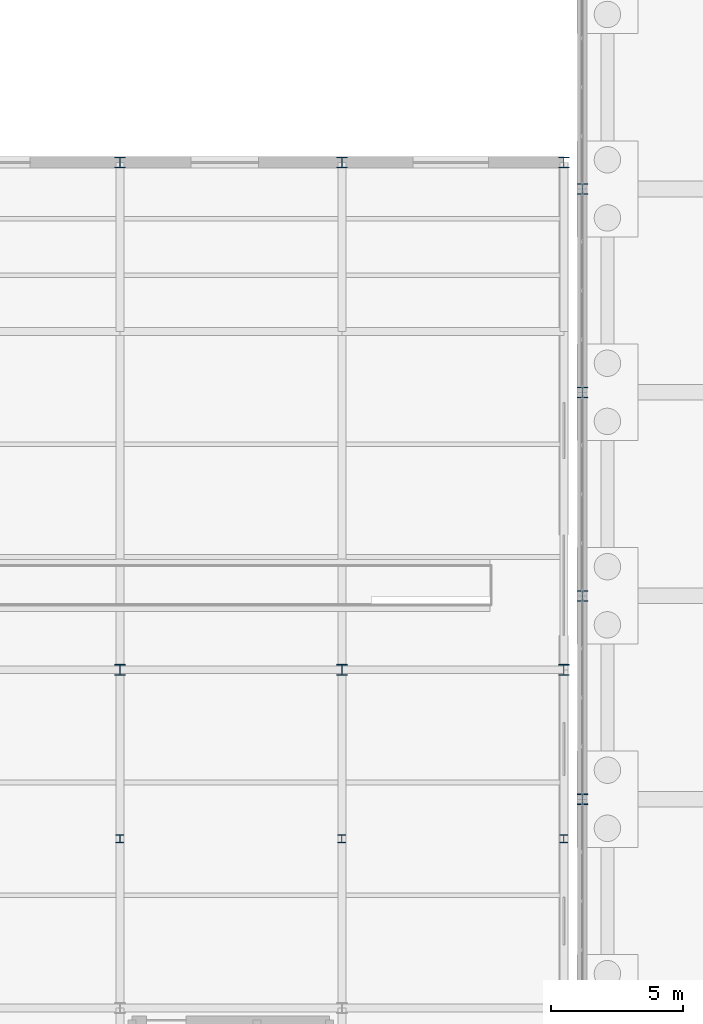
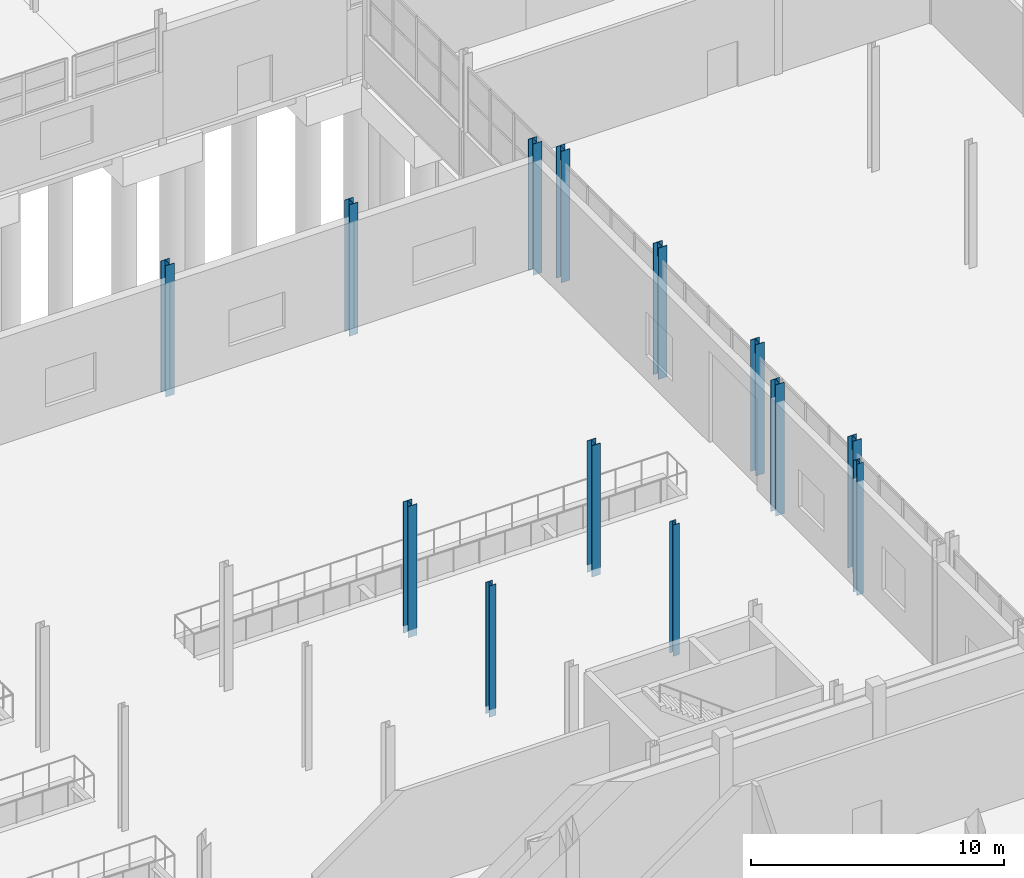
# One storey, part 34 of 139: 13 columns.
"""IFC4 building model written with IfcOpenShell, lengths in metres."""

from ifc_helpers import new_model, si_unit, direction, frame, origin, origin_2d, place, context, subcontext, project, spatial, i_section, extrude, material, material_profile, profile_set, type_object, element, save


model = new_model("IFC4")

# Units and contexts
model_context = context("Model", 3, precision=1e-05, world=origin(), true_north=direction((0.0, 1.0)))
body_context = subcontext(model_context, "Body", "Model", "MODEL_VIEW")
ifc_project = project(units=[si_unit("LENGTHUNIT", "METRE"), si_unit("AREAUNIT", "SQUARE_METRE"), si_unit("VOLUMEUNIT", "CUBIC_METRE"), si_unit("PLANEANGLEUNIT", "RADIAN"), si_unit("MASSUNIT", "GRAM", prefix="KILO")], contexts=[model_context])

# Site, building, storey
site_placement = place(None, origin())
site = spatial("IfcSite", under=ifc_project, at=site_placement, CompositionType="ELEMENT")
building_placement = place(site_placement, origin())
building = spatial("IfcBuilding", under=site, at=building_placement, Name="Kazenagashi Tramway Depot", CompositionType="ELEMENT")
storey_placement = place(building_placement, origin())
storey = spatial("IfcBuildingStorey", under=building, at=storey_placement, Name="L01", CompositionType="ELEMENT", Elevation=0.0)

# Columns
ifc_material = material(Name="Steel SN490B", Category="steel")
ifc_material_profile_1 = material_profile(ifc_material, i_section(OverallWidth=0.4, OverallDepth=0.4, WebThickness=0.013, FlangeThickness=0.021, at=origin_2d()), Name="H-400x400x13x21")
ifc_profile_set_1 = profile_set([ifc_material_profile_1], Name="Steel SN490B")
column_type_1 = type_object("IfcColumnType", Name="C-03", PredefinedType="COLUMN", material=ifc_profile_set_1)
for number, where, z_axis, x_axis, name in (
    (1, (128.8, 35.7, -0.35), (0.0, 0.0, 1.0), (1.0, 0.0, 0.0), "Column C-03 COL-0324"),
    (2, (128.8, 54.9, -0.35), (0.0, 0.0, 1.0), (1.0, 0.0, 0.0), "Column C-03 COL-0327"),
    (3, (137.2, 35.7, -0.35), (0.0, 0.0, 1.0), (1.0, 0.0, 0.0), "Column C-03 COL-0341"),
    (4, (137.2, 54.9, -0.35), (0.0, 0.0, 1.0), (1.0, 0.0, 0.0), "Column C-03 COL-0344"),
    (5, (145.6, 35.7, -0.35), (0.0, 0.0, 1.0), (1.0, 0.0, 0.0), "Column C-03 COL-0358"),
    (6, (145.6, 54.9, -0.35), (0.0, 0.0, 1.0), (1.0, 0.0, 0.0), "Column C-03 COL-0361"),
    (7, (146.3, 30.8, -0.35), (0.0, 0.0, 1.0), (1.0, 0.0, 0.0), "Column C-03 COL-0372"),
    (8, (146.3, 38.5, -0.35), (0.0, 0.0, 1.0), (1.0, 0.0, 0.0), "Column C-03 COL-0374"),
    (9, (146.3, 46.2, -0.35), (0.0, 0.0, 1.0), (1.0, 0.0, 0.0), "Column C-03 COL-0377"),
    (10, (146.3, 53.9, -0.35), (0.0, 0.0, 1.0), (1.0, 0.0, 0.0), "Column C-03 COL-0380"),
):
    element("IfcColumn", number, at=place(storey_placement, frame(where, z_axis=z_axis, x_axis=x_axis)), inside=storey, type_object=column_type_1, Name=name, PredefinedType="COLUMN", context=body_context, shape_type="SweptSolid", body=[
        extrude(i_section(OverallWidth=0.4, OverallDepth=0.4, WebThickness=0.013, FlangeThickness=0.021, at=origin_2d()), origin(), (0.0, 0.0, 1.0), 6.35),
    ])
ifc_material_profile_2 = material_profile(ifc_material, i_section(OverallWidth=0.3, OverallDepth=0.3, WebThickness=0.01, FlangeThickness=0.015, at=origin_2d()), Name="H-300x300x10x15")
ifc_profile_set_2 = profile_set([ifc_material_profile_2], Name="Steel SN490B")
column_type_2 = type_object("IfcColumnType", Name="C-05", PredefinedType="COLUMN", material=ifc_profile_set_2)
for number, where, z_axis, x_axis, name in (
    (11, (128.8, 29.3, -0.35), (0.0, 0.0, 1.0), (1.0, 0.0, 0.0), "Column C-05 COL-0322"),
    (12, (137.2, 29.3, -0.35), (0.0, 0.0, 1.0), (1.0, 0.0, 0.0), "Column C-05 COL-0339"),
    (13, (145.6, 29.3, -0.35), (0.0, 0.0, 1.0), (1.0, 0.0, 0.0), "Column C-05 COL-0356"),
):
    element("IfcColumn", number, at=place(storey_placement, frame(where, z_axis=z_axis, x_axis=x_axis)), inside=storey, type_object=column_type_2, Name=name, PredefinedType="COLUMN", context=body_context, shape_type="SweptSolid", body=[
        extrude(i_section(OverallWidth=0.3, OverallDepth=0.3, WebThickness=0.01, FlangeThickness=0.015, at=origin_2d()), origin(), (0.0, 0.0, 1.0), 6.35),
    ])

save(model, "model.ifc")
